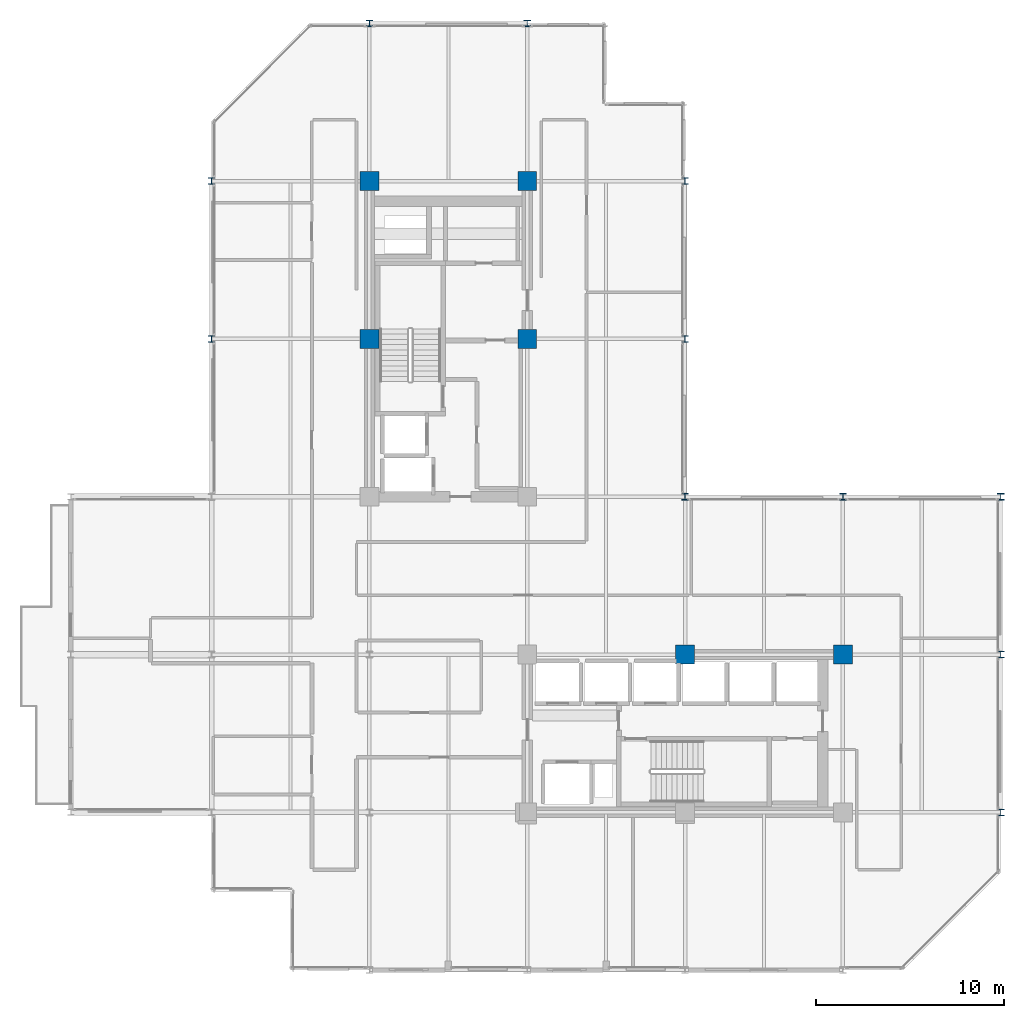
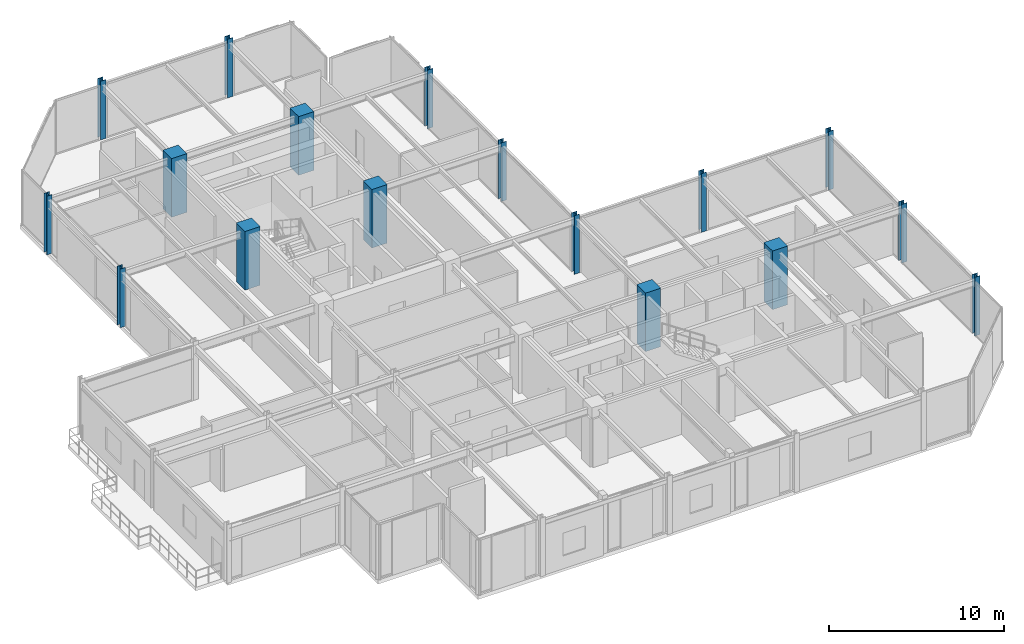
# One storey, part 2 of 29: 17 columns.
"""IFC4 building model written with IfcOpenShell, lengths in metres."""

from ifc_helpers import new_model, si_unit, direction, frame, origin, origin_2d, place, context, subcontext, project, spatial, rectangle, i_section, extrude, material, material_profile, profile_set, type_object, element, save


model = new_model("IFC4")

# Units and contexts
model_context = context("Model", 3, precision=1e-05, world=origin(), true_north=direction((0.0, 1.0)))
body_context = subcontext(model_context, "Body", "Model", "MODEL_VIEW")
ifc_project = project(units=[si_unit("LENGTHUNIT", "METRE"), si_unit("AREAUNIT", "SQUARE_METRE"), si_unit("VOLUMEUNIT", "CUBIC_METRE"), si_unit("PLANEANGLEUNIT", "RADIAN"), si_unit("MASSUNIT", "GRAM", prefix="KILO")], contexts=[model_context])

# Site, building, storey
site_placement = place(None, origin())
site = spatial("IfcSite", under=ifc_project, at=site_placement, CompositionType="ELEMENT")
building_placement = place(site_placement, origin())
building = spatial("IfcBuilding", under=site, at=building_placement, Name="Nerrivon Quay Data Exchange", CompositionType="ELEMENT")
storey_placement = place(building_placement, frame((0.0, 0.0, 196.0)))
storey = spatial("IfcBuildingStorey", under=building, at=storey_placement, Name="L46", CompositionType="ELEMENT", Elevation=196.0)

# Columns
ifc_material_1 = material(Name="Concrete S65 (65 MPa)", Category="concrete")
ifc_material_profile_1 = material_profile(ifc_material_1, rectangle(XDim=1.0, YDim=1.0, at=origin_2d()), Name="RC-COL-1000x1000")
ifc_profile_set_1 = profile_set([ifc_material_profile_1], Name="Concrete S65 (65 MPa)")
column_type_1 = type_object("IfcColumnType", Name="COL-C4-1000", PredefinedType="COLUMN", material=ifc_profile_set_1)
for number, where, z_axis, x_axis, name in (
    (1, (8.39990234375, 33.60009765625, 0.0), (0.0, 0.0, 1.0), (1.0, 0.0, 0.0), "L46 Column (8.4,33.6)"),
    (2, (8.39990234375, 42.0, 0.0), (0.0, 0.0, 1.0), (1.0, 0.0, 0.0), "L46 Column (8.4,42.0)"),
    (3, (16.800048828125, 33.60009765625, 0.0), (0.0, 0.0, 1.0), (1.0, 0.0, 0.0), "L46 Column (16.8,33.6)"),
    (4, (16.800048828125, 42.0, 0.0), (0.0, 0.0, 1.0), (1.0, 0.0, 0.0), "L46 Column (16.8,42.0)"),
    (5, (25.199951171875, 16.800048828125, 0.0), (0.0, 0.0, 1.0), (1.0, 0.0, 0.0), "L46 Column (25.2,16.8)"),
    (6, (33.60009765625, 16.800048828125, 0.0), (0.0, 0.0, 1.0), (1.0, 0.0, 0.0), "L46 Column (33.6,16.8)"),
):
    element("IfcColumn", number, at=place(storey_placement, frame(where, z_axis=z_axis, x_axis=x_axis)), inside=storey, type_object=column_type_1, Name=name, PredefinedType="COLUMN", context=body_context, shape_type="SweptSolid", body=[
        extrude(rectangle(XDim=1.0, YDim=1.0, at=origin_2d()), origin(), (0.0, 0.0, 1.0), 4.10009765625),
    ])
ifc_material_2 = material(Name="Steel Grade 350", Category="steel")
ifc_material_profile_2 = material_profile(ifc_material_2, i_section(OverallWidth=0.35009765625, OverallDepth=0.35009765625, WebThickness=0.02001953125, FlangeThickness=0.031982421875, at=origin_2d()), Name="350WC230")
ifc_profile_set_2 = profile_set([ifc_material_profile_2], Name="Steel Grade 350")
column_type_2 = type_object("IfcColumnType", Name="COL-SC3-350WC", PredefinedType="COLUMN", material=ifc_profile_set_2)
for number, where, z_axis, x_axis, name in (
    (7, (0.0, 33.60009765625, 0.0), (0.0, 0.0, 1.0), (1.0, 0.0, 0.0), "L46 Column (0.0,33.6)"),
    (8, (0.0, 42.0, 0.0), (0.0, 0.0, 1.0), (1.0, 0.0, 0.0), "L46 Column (0.0,42.0)"),
    (9, (8.39990234375, 50.39990234375, 0.0), (0.0, 0.0, 1.0), (1.0, 0.0, 0.0), "L46 Column (8.4,50.4)"),
    (10, (16.800048828125, 50.39990234375, 0.0), (0.0, 0.0, 1.0), (1.0, 0.0, 0.0), "L46 Column (16.8,50.4)"),
    (11, (25.199951171875, 25.199951171875, 0.0), (0.0, 0.0, 1.0), (1.0, 0.0, 0.0), "L46 Column (25.2,25.2)"),
    (12, (25.199951171875, 33.60009765625, 0.0), (0.0, 0.0, 1.0), (1.0, 0.0, 0.0), "L46 Column (25.2,33.6)"),
    (13, (25.199951171875, 42.0, 0.0), (0.0, 0.0, 1.0), (1.0, 0.0, 0.0), "L46 Column (25.2,42.0)"),
    (14, (33.60009765625, 25.199951171875, 0.0), (0.0, 0.0, 1.0), (1.0, 0.0, 0.0), "L46 Column (33.6,25.2)"),
    (15, (42.0, 8.39990234375, 0.0), (0.0, 0.0, 1.0), (1.0, 0.0, 0.0), "L46 Column (42.0,8.4)"),
    (16, (42.0, 16.800048828125, 0.0), (0.0, 0.0, 1.0), (1.0, 0.0, 0.0), "L46 Column (42.0,16.8)"),
    (17, (42.0, 25.199951171875, 0.0), (0.0, 0.0, 1.0), (1.0, 0.0, 0.0), "L46 Column (42.0,25.2)"),
):
    element("IfcColumn", number, at=place(storey_placement, frame(where, z_axis=z_axis, x_axis=x_axis)), inside=storey, type_object=column_type_2, Name=name, PredefinedType="COLUMN", context=body_context, shape_type="SweptSolid", body=[
        extrude(i_section(OverallWidth=0.35009765625, OverallDepth=0.35009765625, WebThickness=0.02001953125, FlangeThickness=0.031982421875, at=origin_2d()), origin(), (0.0, 0.0, 1.0), 4.10009765625),
    ])

save(model, "model.ifc")
